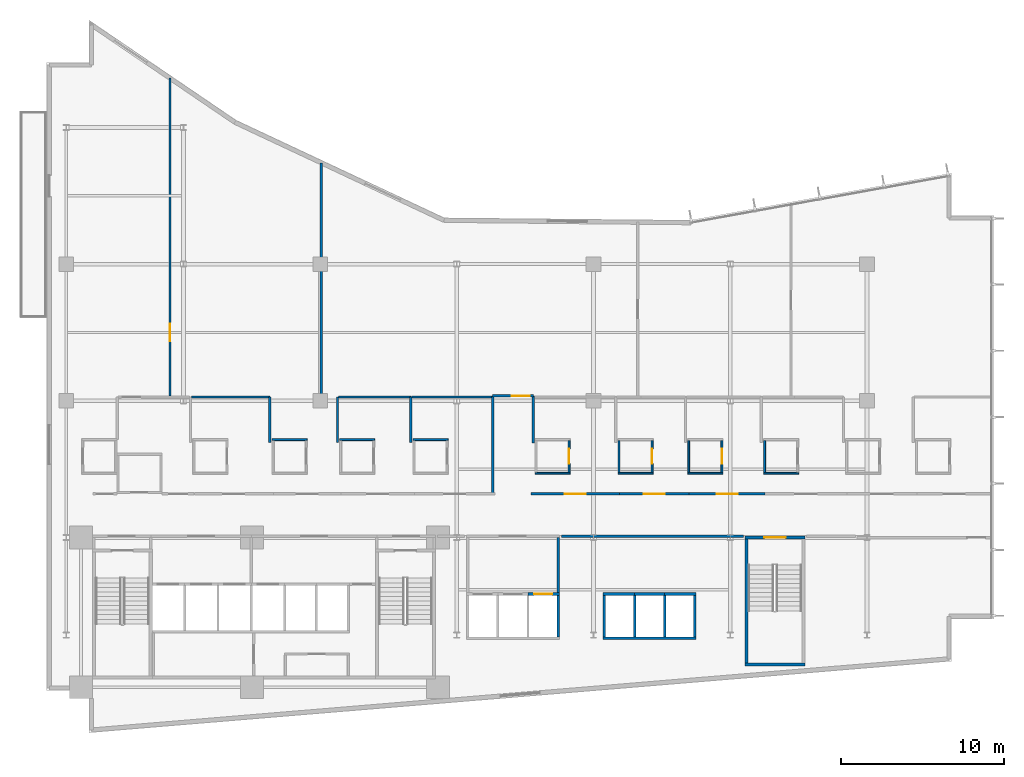
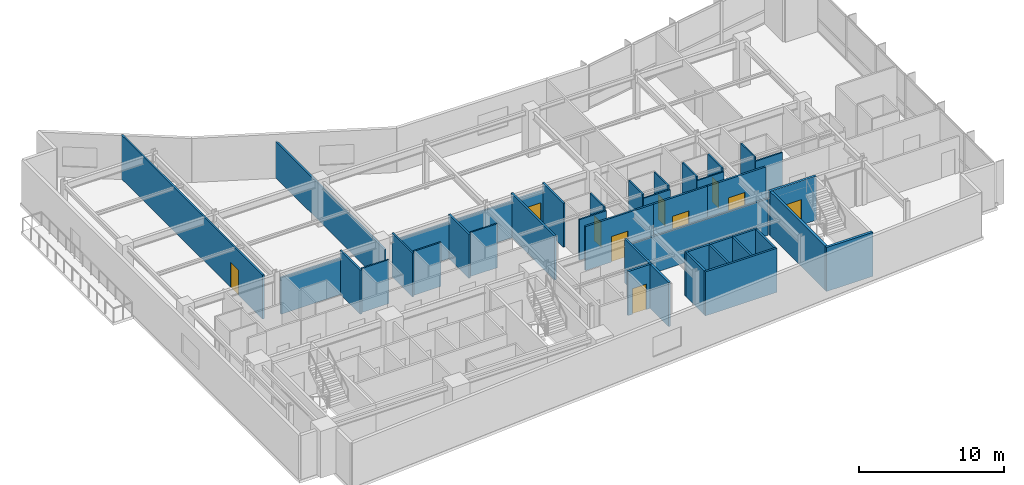
# One storey, part 14 of 21: 42 walls, 10 doors, 10 openings.
"""IFC4 building model written with IfcOpenShell, lengths in metres."""

from ifc_helpers import new_model, si_unit, direction, frame, frame_2d, origin, place, context, subcontext, project, spatial, rectangle, extrude, material, layer, layer_set, type_object, element, fill, save


model = new_model("IFC4")

# Units and contexts
model_context = context("Model", 3, precision=1e-05, world=origin(), true_north=direction((0.0, 1.0)))
body_context = subcontext(model_context, "Body", "Model", "MODEL_VIEW")
ifc_project = project(units=[si_unit("LENGTHUNIT", "METRE"), si_unit("AREAUNIT", "SQUARE_METRE"), si_unit("VOLUMEUNIT", "CUBIC_METRE"), si_unit("PLANEANGLEUNIT", "RADIAN"), si_unit("MASSUNIT", "GRAM", prefix="KILO")], contexts=[model_context])

# Site, building, storey
site_placement = place(None, origin())
site = spatial("IfcSite", under=ifc_project, at=site_placement, CompositionType="ELEMENT")
building_placement = place(site_placement, origin())
building = spatial("IfcBuilding", under=site, at=building_placement, Name="Varnakote Quay Hospital", CompositionType="ELEMENT")
storey_placement = place(building_placement, frame((0.0, 0.0, 38.300048828125)))
storey = spatial("IfcBuildingStorey", under=building, at=storey_placement, Name="L09", CompositionType="ELEMENT", Elevation=38.300048828125)

# Walls
ifc_material_1 = material(Name="Fire-rated acoustic gypsum stud wall", Category="gypsum")
ifc_layer_1 = layer(ifc_material_1, 0.159912109375)
ifc_layer_set_1 = layer_set([ifc_layer_1], Name="Fire-rated acoustic gypsum stud wall")
wall_type_1 = type_object("IfcWallType", Name="WL-COMP-160", PredefinedType="PARTITIONING", material=ifc_layer_set_1)
wall_1_placement = place(storey_placement, frame((31.429931640625, 8.610107421875, 0.0), z_axis=(0.0, 0.0, 1.0), x_axis=(0.0, 1.0, 0.0)))
element("IfcWall", 1, at=wall_1_placement, inside=storey, type_object=wall_type_1, Name="L09 Low-Rise Lift Lobby East Wall", PredefinedType="PARTITIONING", context=body_context, shape_type="SweptSolid", body=[
    extrude(rectangle(XDim=3.389892578125, YDim=0.159912109375, at=frame_2d((1.69482421875, 0.0))), origin(), (0.0, 0.0, 1.0), 3.7099609375),
])
wall_2_placement = place(storey_placement, frame((31.6298828125, 12.080078125, 0.0), z_axis=(0.0, 0.0, 1.0), x_axis=(1.0, 0.0, 0.0)))
element("IfcWall", 2, at=wall_2_placement, inside=storey, type_object=wall_type_1, Name="L09 Corridor South Gap Wall", PredefinedType="PARTITIONING", context=body_context, shape_type="SweptSolid", body=[
    extrude(rectangle(XDim=11.180908203125, YDim=0.159912109375, at=frame_2d((5.59033203125, 0.0))), origin(), (0.0, 0.0, 1.0), 3.072998046875),
])
ifc_material_2 = material(Name="Moisture-resistant bathroom partition", Category="gypsum")
ifc_layer_2 = layer(ifc_material_2, 0.114990234375)
ifc_layer_set_2 = layer_set([ifc_layer_2], Name="Moisture-resistant bathroom partition")
wall_type_2 = type_object("IfcWallType", Name="WL-ENS-115", PredefinedType="PARTITIONING", material=ifc_layer_set_2)
wall_3_placement = place(storey_placement, frame((13.85498046875, 18.017578125, 0.0), z_axis=(0.0, 0.0, 1.0), x_axis=(1.0, 0.0, 0.0)))
element("IfcWall", 3, at=wall_3_placement, inside=storey, type_object=wall_type_2, Name="L09 Inpatient En-Suite Bathroom 03 N Wall", PredefinedType="PARTITIONING", context=body_context, shape_type="SweptSolid", body=[
    extrude(rectangle(XDim=2.14990234375, YDim=0.114990234375, at=frame_2d((1.074951171875, 0.0))), origin(), (0.0, 0.0, 1.0), 3.7099609375),
])
for number, where, z_axis, x_axis, name in (
    (4, (18.0048828125, 18.017578125, 0.0), (0.0, 0.0, 1.0), (1.0, 0.0, 0.0), "L09 Inpatient En-Suite Bathroom 04 N Wall"),
    (5, (22.514892578125, 18.017578125, 0.0), (0.0, 0.0, 1.0), (1.0, 0.0, 0.0), "L09 Inpatient En-Suite Bathroom 05 N Wall"),
):
    element("IfcWall", number, at=place(storey_placement, frame(where, z_axis=z_axis, x_axis=x_axis)), inside=storey, type_object=wall_type_2, Name=name, PredefinedType="PARTITIONING", context=body_context, shape_type="SweptSolid", body=[
        extrude(rectangle(XDim=2.150146484375, YDim=0.114990234375, at=frame_2d((1.0751953125, 0.0))), origin(), (0.0, 0.0, 1.0), 3.7099609375),
    ])
wall_4_placement = place(storey_placement, frame((30.0048828125, 15.952392578125, 0.0), z_axis=(0.0, 0.0, 1.0), x_axis=(1.0, 0.0, 0.0)))
element("IfcWall", 6, at=wall_4_placement, inside=storey, type_object=wall_type_2, Name="L09 Inpatient En-Suite Bathroom 06 S Wall", PredefinedType="PARTITIONING", context=body_context, shape_type="SweptSolid", body=[
    extrude(rectangle(XDim=2.150146484375, YDim=0.114990234375, at=frame_2d((1.0751953125, 0.0))), origin(), (0.0, 0.0, 1.0), 3.428955078125),
])

# Wall, opening, door
wall_5_placement = place(storey_placement, frame((32.097412109375, 16.010009765625, 0.0), z_axis=(0.0, 0.0, 1.0), x_axis=(0.0, 1.0, 0.0)))
wall_5 = element("IfcWall", 7, at=wall_5_placement, inside=storey, type_object=wall_type_2, Name="L09 Inpatient En-Suite Bathroom 06 E Wall", PredefinedType="PARTITIONING", context=body_context, shape_type="SweptSolid", body=[
    extrude(rectangle(XDim=1.949951171875, YDim=0.114990234375, at=frame_2d((0.97509765625, 0.0))), origin(), (0.0, 0.0, 1.0), 3.7099609375),
])
opening_1_placement = place(wall_5_placement, frame((0.514892578125, 0.0, 0.0)))
opening_1 = element("IfcOpeningElement", 8, at=opening_1_placement, cuts=wall_5, Name="Opening D-L09-ENS06", PredefinedType="OPENING", context=body_context, shape_type="SweptSolid", body=[
    extrude(rectangle(XDim=0.919921875, YDim=2.10009765625, at=frame_2d((0.4599609375, 1.050048828125))), frame((0.0, 0.0673828125, 0.0), z_axis=(0.0, -1.0, 0.0), x_axis=(1.0, 0.0, 0.0)), (0.0, 0.0, 1.0), 0.135009765625),
])
ifc_material_3 = material(Name="Moisture-sealed en-suite bathroom door")
door_type_1 = type_object("IfcDoorType", Name="DR-ENS-920x2100", OperationType="NOTDEFINED", PredefinedType="DOOR", material=ifc_material_3)
door_1_placement = place(opening_1_placement, origin())
door_1 = element("IfcDoor", 9, at=door_1_placement, inside=storey, type_object=door_type_1, Name="L09 Inpatient En-Suite Bathroom 06 Door", OperationType="SINGLE_SWING_RIGHT", OverallHeight=2.10009765625, OverallWidth=0.919921875, PredefinedType="DOOR", context=body_context, shape_type="SweptSolid", body=[
    extrude(rectangle(XDim=0.919921875, YDim=2.10009765625, at=frame_2d((0.4599609375, 1.050048828125))), frame((0.0, 0.02490234375, 0.0), z_axis=(0.0, -1.0, 0.0), x_axis=(1.0, 0.0, 0.0)), (0.0, 0.0, 1.0), 0.050048828125),
])
fill(opening_1, door_1)

# Walls
wall_6_placement = place(storey_placement, frame((35.10498046875, 15.952392578125, 0.0), z_axis=(0.0, 0.0, 1.0), x_axis=(1.0, 0.0, 0.0)))
element("IfcWall", 10, at=wall_6_placement, inside=storey, type_object=wall_type_2, Name="L09 Inpatient En-Suite Bathroom 07 S Wall", PredefinedType="PARTITIONING", context=body_context, shape_type="SweptSolid", body=[
    extrude(rectangle(XDim=2.14990234375, YDim=0.114990234375, at=frame_2d((1.074951171875, 0.0))), origin(), (0.0, 0.0, 1.0), 3.428955078125),
])
wall_7_placement = place(storey_placement, frame((35.16259765625, 16.010009765625, 0.0), z_axis=(0.0, 0.0, 1.0), x_axis=(0.0, 1.0, 0.0)))
element("IfcWall", 11, at=wall_7_placement, inside=storey, type_object=wall_type_2, Name="L09 Inpatient En-Suite Bathroom 07 W Wall", PredefinedType="PARTITIONING", context=body_context, shape_type="SweptSolid", body=[
    extrude(rectangle(XDim=1.949951171875, YDim=0.114990234375, at=frame_2d((0.97509765625, 0.0))), origin(), (0.0, 0.0, 1.0), 3.7099609375),
])

# Wall, opening, door
wall_8_placement = place(storey_placement, frame((37.197509765625, 16.010009765625, 0.0), z_axis=(0.0, 0.0, 1.0), x_axis=(0.0, 1.0, 0.0)))
wall_8 = element("IfcWall", 12, at=wall_8_placement, inside=storey, type_object=wall_type_2, Name="L09 Inpatient En-Suite Bathroom 07 E Wall", PredefinedType="PARTITIONING", context=body_context, shape_type="SweptSolid", body=[
    extrude(rectangle(XDim=1.949951171875, YDim=0.114990234375, at=frame_2d((0.97509765625, 0.0))), origin(), (0.0, 0.0, 1.0), 3.7099609375),
])
opening_2_placement = place(wall_8_placement, frame((0.514892578125, 0.0, 0.0)))
opening_2 = element("IfcOpeningElement", 13, at=opening_2_placement, cuts=wall_8, Name="Opening D-L09-ENS07", PredefinedType="OPENING", context=body_context, shape_type="SweptSolid", body=[
    extrude(rectangle(XDim=0.919921875, YDim=2.10009765625, at=frame_2d((0.4599609375, 1.050048828125))), frame((0.0, 0.0673828125, 0.0), z_axis=(0.0, -1.0, 0.0), x_axis=(1.0, 0.0, 0.0)), (0.0, 0.0, 1.0), 0.135009765625),
])
door_2_placement = place(opening_2_placement, origin())
door_2 = element("IfcDoor", 14, at=door_2_placement, inside=storey, type_object=door_type_1, Name="L09 Inpatient En-Suite Bathroom 07 Door", OperationType="SINGLE_SWING_LEFT", OverallHeight=2.10009765625, OverallWidth=0.919921875, PredefinedType="DOOR", context=body_context, shape_type="SweptSolid", body=[
    extrude(rectangle(XDim=0.919921875, YDim=2.10009765625, at=frame_2d((0.4599609375, 1.050048828125))), frame((0.0, 0.02490234375, 0.0), z_axis=(0.0, -1.0, 0.0), x_axis=(1.0, 0.0, 0.0)), (0.0, 0.0, 1.0), 0.050048828125),
])
fill(opening_2, door_2)

# Walls
wall_9_placement = place(storey_placement, frame((39.39501953125, 15.952392578125, 0.0), z_axis=(0.0, 0.0, 1.0), x_axis=(1.0, 0.0, 0.0)))
element("IfcWall", 15, at=wall_9_placement, inside=storey, type_object=wall_type_2, Name="L09 Inpatient En-Suite Bathroom 08 S Wall", PredefinedType="PARTITIONING", context=body_context, shape_type="SweptSolid", body=[
    extrude(rectangle(XDim=2.14990234375, YDim=0.114990234375, at=frame_2d((1.074951171875, 0.0))), origin(), (0.0, 0.0, 1.0), 3.428955078125),
])
wall_10_placement = place(storey_placement, frame((39.452392578125, 16.010009765625, 0.0), z_axis=(0.0, 0.0, 1.0), x_axis=(0.0, 1.0, 0.0)))
element("IfcWall", 16, at=wall_10_placement, inside=storey, type_object=wall_type_2, Name="L09 Inpatient En-Suite Bathroom 08 W Wall", PredefinedType="PARTITIONING", context=body_context, shape_type="SweptSolid", body=[
    extrude(rectangle(XDim=1.949951171875, YDim=0.114990234375, at=frame_2d((0.97509765625, 0.0))), origin(), (0.0, 0.0, 1.0), 3.7099609375),
])

# Wall, opening, door
wall_11_placement = place(storey_placement, frame((41.487548828125, 16.010009765625, 0.0), z_axis=(0.0, 0.0, 1.0), x_axis=(0.0, 1.0, 0.0)))
wall_11 = element("IfcWall", 17, at=wall_11_placement, inside=storey, type_object=wall_type_2, Name="L09 Inpatient En-Suite Bathroom 08 E Wall", PredefinedType="PARTITIONING", context=body_context, shape_type="SweptSolid", body=[
    extrude(rectangle(XDim=1.949951171875, YDim=0.114990234375, at=frame_2d((0.97509765625, 0.0))), origin(), (0.0, 0.0, 1.0), 3.7099609375),
])
opening_3_placement = place(wall_11_placement, frame((0.514892578125, 0.0, 0.0)))
opening_3 = element("IfcOpeningElement", 18, at=opening_3_placement, cuts=wall_11, Name="Opening D-L09-ENS08", PredefinedType="OPENING", context=body_context, shape_type="SweptSolid", body=[
    extrude(rectangle(XDim=0.919921875, YDim=2.10009765625, at=frame_2d((0.4599609375, 1.050048828125))), frame((0.0, 0.0673828125, 0.0), z_axis=(0.0, -1.0, 0.0), x_axis=(1.0, 0.0, 0.0)), (0.0, 0.0, 1.0), 0.135009765625),
])
door_3_placement = place(opening_3_placement, origin())
door_3 = element("IfcDoor", 19, at=door_3_placement, inside=storey, type_object=door_type_1, Name="L09 Inpatient En-Suite Bathroom 08 Door", OperationType="SINGLE_SWING_RIGHT", OverallHeight=2.10009765625, OverallWidth=0.919921875, PredefinedType="DOOR", context=body_context, shape_type="SweptSolid", body=[
    extrude(rectangle(XDim=0.919921875, YDim=2.10009765625, at=frame_2d((0.4599609375, 1.050048828125))), frame((0.0, 0.02490234375, 0.0), z_axis=(0.0, -1.0, 0.0), x_axis=(1.0, 0.0, 0.0)), (0.0, 0.0, 1.0), 0.050048828125),
])
fill(opening_3, door_3)

# Walls
wall_12_placement = place(storey_placement, frame((44.054931640625, 15.952392578125, 0.0), z_axis=(0.0, 0.0, 1.0), x_axis=(1.0, 0.0, 0.0)))
element("IfcWall", 20, at=wall_12_placement, inside=storey, type_object=wall_type_2, Name="L09 Inpatient En-Suite Bathroom 09 S Wall", PredefinedType="PARTITIONING", context=body_context, shape_type="SweptSolid", body=[
    extrude(rectangle(XDim=2.150146484375, YDim=0.114990234375, at=frame_2d((1.0751953125, 0.0))), origin(), (0.0, 0.0, 1.0), 3.428955078125),
])
wall_13_placement = place(storey_placement, frame((44.112548828125, 16.010009765625, 0.0), z_axis=(0.0, 0.0, 1.0), x_axis=(0.0, 1.0, 0.0)))
element("IfcWall", 21, at=wall_13_placement, inside=storey, type_object=wall_type_2, Name="L09 Inpatient En-Suite Bathroom 09 W Wall", PredefinedType="PARTITIONING", context=body_context, shape_type="SweptSolid", body=[
    extrude(rectangle(XDim=1.949951171875, YDim=0.114990234375, at=frame_2d((0.97509765625, 0.0))), origin(), (0.0, 0.0, 1.0), 3.7099609375),
])
ifc_material_4 = material(Name="Concrete N50 (f'c 50 MPa)", Category="concrete")
ifc_layer_3 = layer(ifc_material_4, 0.14990234375)
ifc_layer_set_3 = layer_set([ifc_layer_3], Name="Concrete N50 (f'c 50 MPa)")
wall_type_3 = type_object("IfcWallType", Name="WL-SHAFT-N50-150", PredefinedType="SHEAR", material=ifc_layer_set_3)
for number, where, z_axis, x_axis, name in (
    (22, (36.125, 5.89990234375, 0.0), (0.0, 0.0, 1.0), (0.0, 1.0, 0.0), "L09 LF-PM1 Hoistway Divider Wall"),
    (23, (37.97509765625, 5.89990234375, 0.0), (0.0, 0.0, 1.0), (0.0, 1.0, 0.0), "L09 LF-PM2 Hoistway Divider Wall"),
):
    element("IfcWall", number, at=place(storey_placement, frame(where, z_axis=z_axis, x_axis=x_axis)), inside=storey, type_object=wall_type_3, Name=name, PredefinedType="SHEAR", context=body_context, shape_type="SweptSolid", body=[
        extrude(rectangle(XDim=2.550048828125, YDim=0.14990234375, at=frame_2d((1.27490234375, 0.0))), origin(), (0.0, 0.0, 1.0), 3.7099609375),
    ])
ifc_material_5 = material(Name="Concrete N50 (f'c 50 MPa)", Category="concrete")
ifc_layer_4 = layer(ifc_material_5, 0.159912109375)
ifc_layer_set_4 = layer_set([ifc_layer_4], Name="Concrete N50 (f'c 50 MPa)")
wall_type_4 = type_object("IfcWallType", Name="WL-SHAFT-N50-160", PredefinedType="SHEAR", material=ifc_layer_set_4)
wall_14_placement = place(storey_placement, frame((31.429931640625, 5.89990234375, 0.0), z_axis=(0.0, 0.0, 1.0), x_axis=(0.0, 1.0, 0.0)))
element("IfcWall", 24, at=wall_14_placement, inside=storey, type_object=wall_type_4, Name="L09 LOW Lift Bank East Shear Wall", PredefinedType="SHEAR", context=body_context, shape_type="SweptSolid", body=[
    extrude(rectangle(XDim=2.550048828125, YDim=0.159912109375, at=frame_2d((1.27490234375, 0.0))), origin(), (0.0, 0.0, 1.0), 3.7099609375),
])

# Wall, opening, door
wall_15_placement = place(storey_placement, frame((29.574951171875, 8.530029296875, 0.0), z_axis=(0.0, 0.0, 1.0), x_axis=(1.0, 0.0, 0.0)))
wall_15 = element("IfcWall", 25, at=wall_15_placement, inside=storey, type_object=wall_type_4, Name="L09 LF-PL3 Hoistway Front Wall", PredefinedType="SHEAR", context=body_context, shape_type="SweptSolid", body=[
    extrude(rectangle(XDim=1.93505859375, YDim=0.159912109375, at=frame_2d((0.967529296875, 0.0))), origin(), (0.0, 0.0, 1.0), 3.7099609375),
])
opening_4_placement = place(wall_15_placement, frame((0.375, 0.0, 0.0)))
opening_4 = element("IfcOpeningElement", 26, at=opening_4_placement, cuts=wall_15, Name="Opening LD-PL3-L09", PredefinedType="OPENING", context=body_context, shape_type="SweptSolid", body=[
    extrude(rectangle(XDim=1.10009765625, YDim=2.14990234375, at=frame_2d((0.550048828125, 1.074951171875))), frame((0.0, 0.08984375, 0.0), z_axis=(0.0, -1.0, 0.0), x_axis=(1.0, 0.0, 0.0)), (0.0, 0.0, 1.0), 0.179931640625),
])
ifc_material_6 = material(Name="Brushed bronze lift landing sliding door")
door_type_2 = type_object("IfcDoorType", Name="DR-LIFT-LD-1100x2150", OperationType="NOTDEFINED", PredefinedType="DOOR", material=ifc_material_6)
door_4_placement = place(opening_4_placement, origin())
door_4 = element("IfcDoor", 27, at=door_4_placement, inside=storey, type_object=door_type_2, Name="L09 LF-PL3 Lift Landing Sliding Door", OperationType="SLIDING_TO_LEFT", OverallHeight=2.14990234375, OverallWidth=1.10009765625, PredefinedType="DOOR", context=body_context, shape_type="SweptSolid", body=[
    extrude(rectangle(XDim=1.10009765625, YDim=2.14990234375, at=frame_2d((0.550048828125, 1.074951171875))), frame((0.0, 0.02490234375, 0.0), z_axis=(0.0, -1.0, 0.0), x_axis=(1.0, 0.0, 0.0)), (0.0, 0.0, 1.0), 0.050048828125),
])
fill(opening_4, door_4)

# Walls
wall_16_placement = place(storey_placement, frame((34.18994140625, 5.820068359375, 0.0), z_axis=(0.0, 0.0, 1.0), x_axis=(1.0, 0.0, 0.0)))
element("IfcWall", 28, at=wall_16_placement, inside=storey, type_object=wall_type_4, Name="L09 MID Lift Bank Back Shear Wall", PredefinedType="SHEAR", context=body_context, shape_type="SweptSolid", body=[
    extrude(rectangle(XDim=5.719970703125, YDim=0.159912109375, at=frame_2d((2.85986328125, 0.0))), origin(), (0.0, 0.0, 1.0), 3.7099609375),
])
for number, where, z_axis, x_axis, name in (
    (29, (34.27001953125, 5.89990234375, 0.0), (0.0, 0.0, 1.0), (0.0, 1.0, 0.0), "L09 MID Lift Bank West Shear Wall"),
    (30, (39.830078125, 5.89990234375, 0.0), (0.0, 0.0, 1.0), (0.0, 1.0, 0.0), "L09 MID Lift Bank East Shear Wall"),
):
    element("IfcWall", number, at=place(storey_placement, frame(where, z_axis=z_axis, x_axis=x_axis)), inside=storey, type_object=wall_type_4, Name=name, PredefinedType="SHEAR", context=body_context, shape_type="SweptSolid", body=[
        extrude(rectangle(XDim=2.550048828125, YDim=0.159912109375, at=frame_2d((1.27490234375, 0.0))), origin(), (0.0, 0.0, 1.0), 3.7099609375),
    ])
wall_17_placement = place(storey_placement, frame((34.18994140625, 8.530029296875, 0.0), z_axis=(0.0, 0.0, 1.0), x_axis=(1.0, 0.0, 0.0)))
element("IfcWall", 31, at=wall_17_placement, inside=storey, type_object=wall_type_4, Name="L09 LF-PM1 Hoistway Front Wall", PredefinedType="SHEAR", context=body_context, shape_type="SweptSolid", body=[
    extrude(rectangle(XDim=1.93505859375, YDim=0.159912109375, at=frame_2d((0.967529296875, 0.0))), origin(), (0.0, 0.0, 1.0), 3.7099609375),
])
wall_18_placement = place(storey_placement, frame((36.125, 8.530029296875, 0.0), z_axis=(0.0, 0.0, 1.0), x_axis=(1.0, 0.0, 0.0)))
element("IfcWall", 32, at=wall_18_placement, inside=storey, type_object=wall_type_4, Name="L09 LF-PM2 Hoistway Front Wall", PredefinedType="SHEAR", context=body_context, shape_type="SweptSolid", body=[
    extrude(rectangle(XDim=1.85009765625, YDim=0.159912109375, at=frame_2d((0.925048828125, 0.0))), origin(), (0.0, 0.0, 1.0), 3.7099609375),
])
wall_19_placement = place(storey_placement, frame((37.97509765625, 8.530029296875, 0.0), z_axis=(0.0, 0.0, 1.0), x_axis=(1.0, 0.0, 0.0)))
element("IfcWall", 33, at=wall_19_placement, inside=storey, type_object=wall_type_4, Name="L09 LF-PM3 Hoistway Front Wall", PredefinedType="SHEAR", context=body_context, shape_type="SweptSolid", body=[
    extrude(rectangle(XDim=1.934814453125, YDim=0.159912109375, at=frame_2d((0.96728515625, 0.0))), origin(), (0.0, 0.0, 1.0), 3.7099609375),
])
ifc_material_7 = material(Name="Concrete N50 (f'c 50 MPa)", Category="concrete")
ifc_layer_5 = layer(ifc_material_7, 0.199951171875)
ifc_layer_set_5 = layer_set([ifc_layer_5], Name="Concrete N50 (f'c 50 MPa)")
wall_type_5 = type_object("IfcWallType", Name="WL-SHAFT-N50-200", PredefinedType="SHEAR", material=ifc_layer_set_5)
wall_20_placement = place(storey_placement, frame((42.89990234375, 4.199951171875, 0.0), z_axis=(0.0, 0.0, 1.0), x_axis=(1.0, 0.0, 0.0)))
element("IfcWall", 34, at=wall_20_placement, inside=storey, type_object=wall_type_5, Name="L09 Stair ST3 South Shaft Wall", PredefinedType="SHEAR", context=body_context, shape_type="SweptSolid", body=[
    extrude(rectangle(XDim=3.7001953125, YDim=0.199951171875, at=frame_2d((1.85009765625, 0.0))), origin(), (0.0, 0.0, 1.0), 3.7099609375),
])
wall_21_placement = place(storey_placement, frame((43.0, 4.300048828125, 0.0), z_axis=(0.0, 0.0, 1.0), x_axis=(0.0, 1.0, 0.0)))
element("IfcWall", 35, at=wall_21_placement, inside=storey, type_object=wall_type_5, Name="L09 Stair ST3 West Shaft Wall", PredefinedType="SHEAR", context=body_context, shape_type="SweptSolid", body=[
    extrude(rectangle(XDim=7.599853515625, YDim=0.199951171875, at=frame_2d((3.7998046875, 0.0))), origin(), (0.0, 0.0, 1.0), 3.7099609375),
])

# Wall, opening, door
wall_22_placement = place(storey_placement, frame((42.89990234375, 12.0, 0.0), z_axis=(0.0, 0.0, 1.0), x_axis=(1.0, 0.0, 0.0)))
wall_22 = element("IfcWall", 36, at=wall_22_placement, inside=storey, type_object=wall_type_5, Name="L09 Stair ST3 Exit Wall", PredefinedType="SHEAR", context=body_context, shape_type="SweptSolid", body=[
    extrude(rectangle(XDim=3.7001953125, YDim=0.199951171875, at=frame_2d((1.85009765625, 0.0))), origin(), (0.0, 0.0, 1.0), 3.7099609375),
])
opening_5_placement = place(wall_22_placement, frame((1.199951171875, 0.0, 0.0)))
opening_5 = element("IfcOpeningElement", 37, at=opening_5_placement, cuts=wall_22, Name="Opening D-ST3-L09", PredefinedType="OPENING", context=body_context, shape_type="SweptSolid", body=[
    extrude(rectangle(XDim=1.300048828125, YDim=2.14990234375, at=frame_2d((0.64990234375, 1.074951171875))), frame((0.0, 0.10986328125, 0.0), z_axis=(0.0, -1.0, 0.0), x_axis=(1.0, 0.0, 0.0)), (0.0, 0.0, 1.0), 0.219970703125),
])
ifc_material_8 = material(Name="Fire-rated ceramic-glazed timber exit door", Category="wood")
door_type_3 = type_object("IfcDoorType", Name="DR-STAIR-FD60S-1300x2150", OperationType="NOTDEFINED", PredefinedType="DOOR", material=ifc_material_8)
door_5_placement = place(opening_5_placement, origin())
door_5 = element("IfcDoor", 38, at=door_5_placement, inside=storey, type_object=door_type_3, Name="L09 Stair ST3 Fire Exit Door", OperationType="SINGLE_SWING_RIGHT", OverallHeight=2.14990234375, OverallWidth=1.300048828125, PredefinedType="DOOR", context=body_context, shape_type="SweptSolid", body=[
    extrude(rectangle(XDim=1.300048828125, YDim=2.14990234375, at=frame_2d((0.64990234375, 1.074951171875))), frame((0.0, 0.02490234375, 0.0), z_axis=(0.0, -1.0, 0.0), x_axis=(1.0, 0.0, 0.0)), (0.0, 0.0, 1.0), 0.050048828125),
])
fill(opening_5, door_5)

# Walls
ifc_material_9 = material(Name="Smoke-proof clinical partition", Category="gypsum")
ifc_layer_6 = layer(ifc_material_9, 0.135009765625)
ifc_layer_set_6 = layer_set([ifc_layer_6], Name="Smoke-proof clinical partition")
wall_type_6 = type_object("IfcWallType", Name="WL-SMOKE-135", PredefinedType="PARTITIONING", material=ifc_layer_set_6)
wall_23_placement = place(storey_placement, frame((13.7099609375, 17.83251953125, 0.0), z_axis=(0.0, 0.0, 1.0), x_axis=(0.0, 1.0, 0.0)))
element("IfcWall", 39, at=wall_23_placement, inside=storey, type_object=wall_type_6, Name="L09 Clinical Interior Partition", PredefinedType="PARTITIONING", context=body_context, shape_type="SweptSolid", body=[
    extrude(rectangle(XDim=2.807373046875, YDim=0.135009765625, at=frame_2d((1.40380859375, 0.0))), origin(), (0.0, 0.0, 1.0), 3.7099609375),
])
wall_24_placement = place(storey_placement, frame((13.7099609375, 20.639892578125, 0.0), z_axis=(0.0, 0.0, 1.0), x_axis=(-1.0, 0.0, 0.0)))
element("IfcWall", 40, at=wall_24_placement, inside=storey, type_object=wall_type_6, Name="L09 Clinical Interior Partition", PredefinedType="PARTITIONING", context=body_context, shape_type="SweptSolid", body=[
    extrude(rectangle(XDim=4.8125, YDim=0.135009765625, at=frame_2d((2.40625, 0.0))), origin(), (0.0, 0.0, 1.0), 3.072998046875),
])
for number, where, z_axis, x_axis, name in (
    (41, (17.860107421875, 17.83251953125, 0.0), (0.0, 0.0, 1.0), (0.0, 1.0, 0.0), "L09 Clinical Interior Partition"),
    (42, (22.3701171875, 17.83251953125, 0.0), (0.0, 0.0, 1.0), (0.0, 1.0, 0.0), "L09 Clinical Interior Partition"),
):
    element("IfcWall", number, at=place(storey_placement, frame(where, z_axis=z_axis, x_axis=x_axis)), inside=storey, type_object=wall_type_6, Name=name, PredefinedType="PARTITIONING", context=body_context, shape_type="SweptSolid", body=[
        extrude(rectangle(XDim=2.807373046875, YDim=0.135009765625, at=frame_2d((1.40380859375, 0.0))), origin(), (0.0, 0.0, 1.0), 3.7099609375),
    ])
wall_25_placement = place(storey_placement, frame((22.3701171875, 20.639892578125, 0.0), z_axis=(0.0, 0.0, 1.0), x_axis=(-1.0, 0.0, 0.0)))
element("IfcWall", 43, at=wall_25_placement, inside=storey, type_object=wall_type_6, Name="L09 Clinical Interior Partition", PredefinedType="PARTITIONING", context=body_context, shape_type="SweptSolid", body=[
    extrude(rectangle(XDim=4.45263671875, YDim=0.135009765625, at=frame_2d((2.226318359375, 0.0))), origin(), (0.0, 0.0, 1.0), 3.072998046875),
])
wall_26_placement = place(storey_placement, frame((27.320068359375, 20.639892578125, 0.0), z_axis=(0.0, 0.0, 1.0), x_axis=(-1.0, 0.0, 0.0)))
element("IfcWall", 44, at=wall_26_placement, inside=storey, type_object=wall_type_6, Name="L09 Clinical Interior Partition", PredefinedType="PARTITIONING", context=body_context, shape_type="SweptSolid", body=[
    extrude(rectangle(XDim=4.892578125, YDim=0.135009765625, at=frame_2d((2.4462890625, 0.0))), origin(), (0.0, 0.0, 1.0), 3.072998046875),
])

# Wall, opening, door
wall_27_placement = place(storey_placement, frame((7.580078125, 20.697509765625, 0.0), z_axis=(0.0, 0.0, 1.0), x_axis=(0.0, 1.0, 0.0)))
wall_27 = element("IfcWall", 45, at=wall_27_placement, inside=storey, type_object=wall_type_6, Name="L09 Clinical Interior Partition", PredefinedType="PARTITIONING", context=body_context, shape_type="SweptSolid", body=[
    extrude(rectangle(XDim=19.5244140625, YDim=0.135009765625, at=frame_2d((9.76220703125, 0.0))), origin(), (0.0, 0.0, 1.0), 3.7099609375),
])
opening_6_placement = place(wall_27_placement, frame((3.354248046875, 0.0, 0.0)))
opening_6 = element("IfcOpeningElement", 46, at=opening_6_placement, cuts=wall_27, Name="Opening D-L09-WPNT", PredefinedType="OPENING", context=body_context, shape_type="SweptSolid", body=[
    extrude(rectangle(XDim=1.10009765625, YDim=2.10009765625, at=frame_2d((0.550048828125, 1.050048828125))), frame((0.0, 0.077392578125, 0.0), z_axis=(0.0, -1.0, 0.0), x_axis=(1.0, 0.0, 0.0)), (0.0, 0.0, 1.0), 0.155029296875),
])
ifc_material_10 = material(Name="Acoustic timber clinical consult door", Category="wood")
door_type_4 = type_object("IfcDoorType", Name="DR-CLIN-FD30S-1100x2100", OperationType="NOTDEFINED", PredefinedType="DOOR", material=ifc_material_10)
door_6_placement = place(opening_6_placement, origin())
door_6 = element("IfcDoor", 47, at=door_6_placement, inside=storey, type_object=door_type_4, Name="L09 Ward Clinical Nutrition Pantry Door", OperationType="SINGLE_SWING_LEFT", OverallHeight=2.10009765625, OverallWidth=1.10009765625, PredefinedType="DOOR", context=body_context, shape_type="SweptSolid", body=[
    extrude(rectangle(XDim=1.10009765625, YDim=2.10009765625, at=frame_2d((0.550048828125, 1.050048828125))), frame((0.0, 0.02490234375, 0.0), z_axis=(0.0, -1.0, 0.0), x_axis=(1.0, 0.0, 0.0)), (0.0, 0.0, 1.0), 0.050048828125),
])
fill(opening_6, door_6)

# Wall
wall_28_placement = place(storey_placement, frame((16.8701171875, 19.949951171875, 0.0), z_axis=(0.0, 0.0, 1.0), x_axis=(0.0, 1.0, 0.0)))
element("IfcWall", 48, at=wall_28_placement, inside=storey, type_object=wall_type_6, Name="L09 Clinical Interior Partition", PredefinedType="PARTITIONING", context=body_context, shape_type="SweptSolid", body=[
    extrude(rectangle(XDim=15.076904296875, YDim=0.135009765625, at=frame_2d((7.53857421875, 0.0))), origin(), (0.0, 0.0, 1.0), 3.072998046875),
])

# Wall, opening, door
ifc_material_11 = material(Name="Fire-rated clinical gypsum partition", Category="gypsum")
ifc_layer_7 = layer(ifc_material_11, 0.14990234375)
ifc_layer_set_7 = layer_set([ifc_layer_7], Name="Fire-rated clinical gypsum partition")
wall_type_7 = type_object("IfcWallType", Name="WL-WARD-150", PredefinedType="PARTITIONING", material=ifc_layer_set_7)
wall_29_placement = place(storey_placement, frame((35.18603515625, 14.679931640625, 0.0), z_axis=(0.0, 0.0, 1.0), x_axis=(-1.0, 0.0, 0.0)))
wall_29 = element("IfcWall", 49, at=wall_29_placement, inside=storey, type_object=wall_type_7, Name="L09 Clinical Interior Partition", PredefinedType="PARTITIONING", context=body_context, shape_type="SweptSolid", body=[
    extrude(rectangle(XDim=5.43212890625, YDim=0.14990234375, at=frame_2d((2.716064453125, 0.0))), origin(), (0.0, 0.0, 1.0), 3.7099609375),
])
opening_7_placement = place(wall_29_placement, frame((2.06591796875, 0.0, 0.0)))
opening_7 = element("IfcOpeningElement", 50, at=opening_7_placement, cuts=wall_29, Name="Opening D-L09-BR06", PredefinedType="OPENING", context=body_context, shape_type="SweptSolid", body=[
    extrude(rectangle(XDim=1.300048828125, YDim=2.14990234375, at=frame_2d((0.64990234375, 1.074951171875))), frame((0.0, 0.0849609375, 0.0), z_axis=(0.0, -1.0, 0.0), x_axis=(1.0, 0.0, 0.0)), (0.0, 0.0, 1.0), 0.169921875),
])
ifc_material_12 = material(Name="Solid-core timber clinical bed door", Category="wood")
door_type_5 = type_object("IfcDoorType", Name="DR-WARD-FD30S-1300x2150", OperationType="NOTDEFINED", PredefinedType="DOOR", material=ifc_material_12)
door_7_placement = place(opening_7_placement, origin())
door_7 = element("IfcDoor", 51, at=door_7_placement, inside=storey, type_object=door_type_5, Name="L09 Resident Care Bedroom 06 Door", OperationType="SINGLE_SWING_LEFT", OverallHeight=2.14990234375, OverallWidth=1.300048828125, PredefinedType="DOOR", context=body_context, shape_type="SweptSolid", body=[
    extrude(rectangle(XDim=1.300048828125, YDim=2.14990234375, at=frame_2d((0.64990234375, 1.074951171875))), frame((0.0, 0.02490234375, 0.0), z_axis=(0.0, -1.0, 0.0), x_axis=(1.0, 0.0, 0.0)), (0.0, 0.0, 1.0), 0.050048828125),
])
fill(opening_7, door_7)

wall_30_placement = place(storey_placement, frame((39.47607421875, 14.679931640625, 0.0), z_axis=(0.0, 0.0, 1.0), x_axis=(-1.0, 0.0, 0.0)))
wall_30 = element("IfcWall", 52, at=wall_30_placement, inside=storey, type_object=wall_type_7, Name="L09 Clinical Interior Partition", PredefinedType="PARTITIONING", context=body_context, shape_type="SweptSolid", body=[
    extrude(rectangle(XDim=4.2880859375, YDim=0.14990234375, at=frame_2d((2.14404296875, 0.0))), origin(), (0.0, 0.0, 1.0), 3.7099609375),
])
opening_8_placement = place(wall_30_placement, frame((1.493896484375, 0.0, 0.0)))
opening_8 = element("IfcOpeningElement", 53, at=opening_8_placement, cuts=wall_30, Name="Opening D-L09-BR07", PredefinedType="OPENING", context=body_context, shape_type="SweptSolid", body=[
    extrude(rectangle(XDim=1.300048828125, YDim=2.14990234375, at=frame_2d((0.64990234375, 1.074951171875))), frame((0.0, 0.0849609375, 0.0), z_axis=(0.0, -1.0, 0.0), x_axis=(1.0, 0.0, 0.0)), (0.0, 0.0, 1.0), 0.169921875),
])
door_8_placement = place(opening_8_placement, origin())
door_8 = element("IfcDoor", 54, at=door_8_placement, inside=storey, type_object=door_type_5, Name="L09 Resident Care Bedroom 07 Door", OperationType="SINGLE_SWING_RIGHT", OverallHeight=2.14990234375, OverallWidth=1.300048828125, PredefinedType="DOOR", context=body_context, shape_type="SweptSolid", body=[
    extrude(rectangle(XDim=1.300048828125, YDim=2.14990234375, at=frame_2d((0.64990234375, 1.074951171875))), frame((0.0, 0.02490234375, 0.0), z_axis=(0.0, -1.0, 0.0), x_axis=(1.0, 0.0, 0.0)), (0.0, 0.0, 1.0), 0.050048828125),
])
fill(opening_8, door_8)

wall_31_placement = place(storey_placement, frame((44.135986328125, 14.679931640625, 0.0), z_axis=(0.0, 0.0, 1.0), x_axis=(-1.0, 0.0, 0.0)))
wall_31 = element("IfcWall", 55, at=wall_31_placement, inside=storey, type_object=wall_type_7, Name="L09 Clinical Interior Partition", PredefinedType="PARTITIONING", context=body_context, shape_type="SweptSolid", body=[
    extrude(rectangle(XDim=4.657958984375, YDim=0.14990234375, at=frame_2d((2.3291015625, 0.0))), origin(), (0.0, 0.0, 1.0), 3.7099609375),
])
opening_9_placement = place(wall_31_placement, frame((1.678955078125, 0.0, 0.0)))
opening_9 = element("IfcOpeningElement", 56, at=opening_9_placement, cuts=wall_31, Name="Opening D-L09-BR08", PredefinedType="OPENING", context=body_context, shape_type="SweptSolid", body=[
    extrude(rectangle(XDim=1.300048828125, YDim=2.14990234375, at=frame_2d((0.64990234375, 1.074951171875))), frame((0.0, 0.0849609375, 0.0), z_axis=(0.0, -1.0, 0.0), x_axis=(1.0, 0.0, 0.0)), (0.0, 0.0, 1.0), 0.169921875),
])
door_9_placement = place(opening_9_placement, origin())
door_9 = element("IfcDoor", 57, at=door_9_placement, inside=storey, type_object=door_type_5, Name="L09 Resident Care Bedroom 08 Door", OperationType="SINGLE_SWING_LEFT", OverallHeight=2.14990234375, OverallWidth=1.300048828125, PredefinedType="DOOR", context=body_context, shape_type="SweptSolid", body=[
    extrude(rectangle(XDim=1.300048828125, YDim=2.14990234375, at=frame_2d((0.64990234375, 1.074951171875))), frame((0.0, 0.02490234375, 0.0), z_axis=(0.0, -1.0, 0.0), x_axis=(1.0, 0.0, 0.0)), (0.0, 0.0, 1.0), 0.050048828125),
])
fill(opening_9, door_9)

# Walls
wall_32_placement = place(storey_placement, frame((27.39990234375, 20.699951171875, 0.0), z_axis=(0.0, 0.0, 1.0), x_axis=(0.0, -1.0, 0.0)))
element("IfcWall", 58, at=wall_32_placement, inside=storey, type_object=wall_type_7, Name="L09 Clinical Interior Partition", PredefinedType="PARTITIONING", context=body_context, shape_type="SweptSolid", body=[
    extrude(rectangle(XDim=6.0, YDim=0.14990234375, at=frame_2d((3.0, 0.0))), origin(), (0.0, 0.0, 1.0), 3.7099609375),
])
wall_33_placement = place(storey_placement, frame((29.89990234375, 17.81396484375, 0.0), z_axis=(0.0, 0.0, 1.0), x_axis=(0.0, 1.0, 0.0)))
element("IfcWall", 59, at=wall_33_placement, inside=storey, type_object=wall_type_7, Name="L09 Clinical Interior Partition", PredefinedType="PARTITIONING", context=body_context, shape_type="SweptSolid", body=[
    extrude(rectangle(XDim=2.885986328125, YDim=0.14990234375, at=frame_2d((1.44287109375, 0.0))), origin(), (0.0, 0.0, 1.0), 3.7099609375),
])

# Wall, opening, door
wall_34_placement = place(storey_placement, frame((29.89990234375, 20.699951171875, 0.0), z_axis=(0.0, 0.0, 1.0), x_axis=(-1.0, 0.0, 0.0)))
wall_34 = element("IfcWall", 60, at=wall_34_placement, inside=storey, type_object=wall_type_7, Name="L09 Clinical Interior Partition", PredefinedType="PARTITIONING", context=body_context, shape_type="SweptSolid", body=[
    extrude(rectangle(XDim=2.5, YDim=0.14990234375, at=frame_2d((1.25, 0.0))), origin(), (0.0, 0.0, 1.0), 3.072998046875),
])
opening_10_placement = place(wall_34_placement, frame((0.22509765625, 0.0, 0.0)))
opening_10 = element("IfcOpeningElement", 61, at=opening_10_placement, cuts=wall_34, Name="Opening D-L09-MD02", PredefinedType="OPENING", context=body_context, shape_type="SweptSolid", body=[
    extrude(rectangle(XDim=1.10009765625, YDim=2.10009765625, at=frame_2d((0.550048828125, 1.050048828125))), frame((0.0, 0.0849609375, 0.0), z_axis=(0.0, -1.0, 0.0), x_axis=(1.0, 0.0, 0.0)), (0.0, 0.0, 1.0), 0.169921875),
])
door_10_placement = place(opening_10_placement, origin())
door_10 = element("IfcDoor", 62, at=door_10_placement, inside=storey, type_object=door_type_4, Name="L09 Clinical Governance Office Door", OperationType="SINGLE_SWING_LEFT", OverallHeight=2.10009765625, OverallWidth=1.10009765625, PredefinedType="DOOR", context=body_context, shape_type="SweptSolid", body=[
    extrude(rectangle(XDim=1.10009765625, YDim=2.10009765625, at=frame_2d((0.550048828125, 1.050048828125))), frame((0.0, 0.02490234375, 0.0), z_axis=(0.0, -1.0, 0.0), x_axis=(1.0, 0.0, 0.0)), (0.0, 0.0, 1.0), 0.050048828125),
])
fill(opening_10, door_10)

save(model, "model.ifc")
